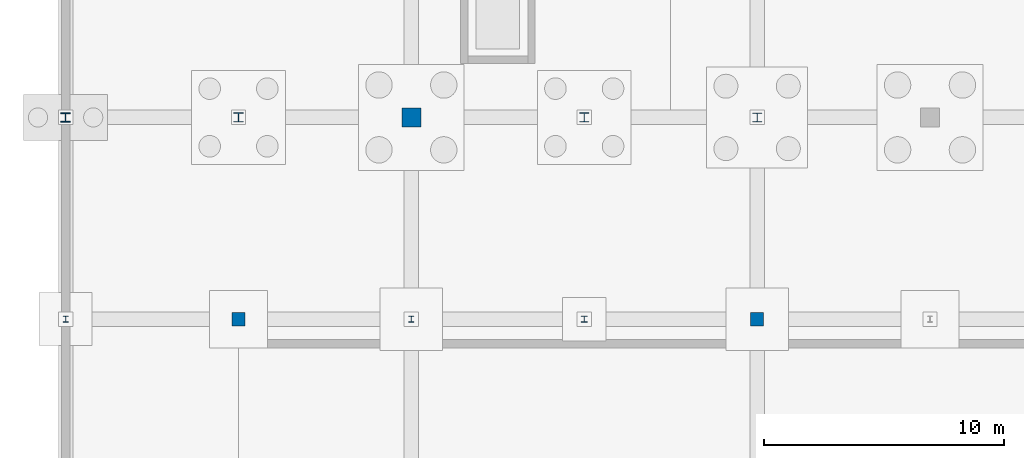
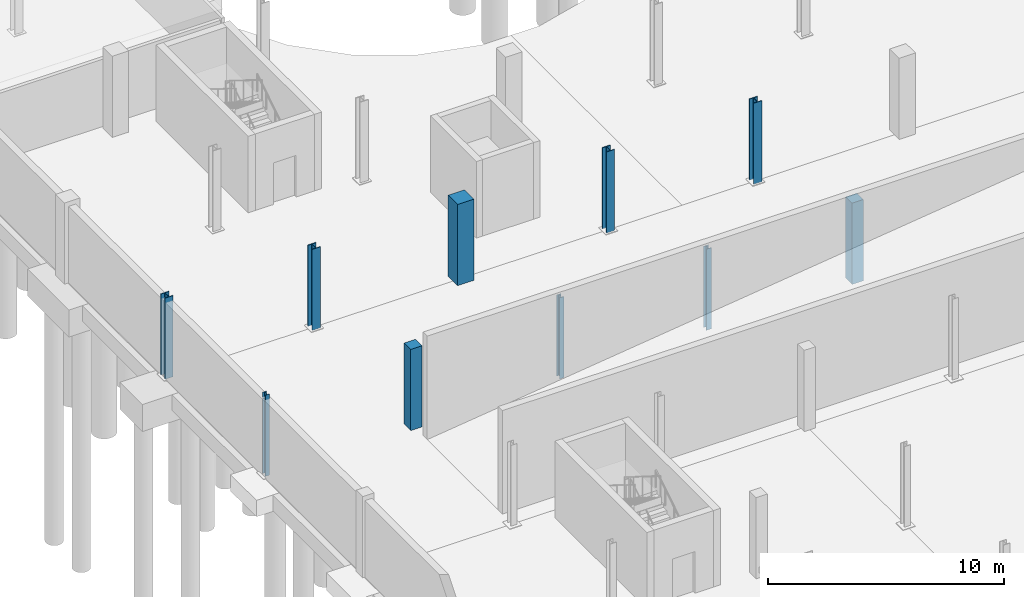
# One storey, part 9 of 32: 10 columns.
"""IFC4 building model written with IfcOpenShell, lengths in metres."""

from ifc_helpers import new_model, si_unit, direction, frame, origin, origin_2d, place, context, subcontext, project, spatial, rectangle, i_section, extrude, material, material_profile, profile_set, type_object, element, save


model = new_model("IFC4")

# Units and contexts
model_context = context("Model", 3, precision=1e-05, world=origin(), true_north=direction((0.0, 1.0)))
body_context = subcontext(model_context, "Body", "Model", "MODEL_VIEW")
ifc_project = project(units=[si_unit("LENGTHUNIT", "METRE"), si_unit("AREAUNIT", "SQUARE_METRE"), si_unit("VOLUMEUNIT", "CUBIC_METRE"), si_unit("PLANEANGLEUNIT", "RADIAN"), si_unit("MASSUNIT", "GRAM", prefix="KILO")], contexts=[model_context])

# Site, building, storey
site_placement = place(None, origin())
site = spatial("IfcSite", under=ifc_project, at=site_placement, CompositionType="ELEMENT")
building_placement = place(site_placement, origin())
building = spatial("IfcBuilding", under=site, at=building_placement, Name="Qelthora Terrace Specialist Clinic", CompositionType="ELEMENT")
storey_placement = place(building_placement, frame((0.0, 0.0, -4.199951171875)))
storey = spatial("IfcBuildingStorey", under=building, at=storey_placement, Name="B1", CompositionType="ELEMENT", Elevation=-4.199951171875)

# Columns
ifc_material_1 = material(Name="Concrete C40/50", Category="concrete")
ifc_material_profile_1 = material_profile(ifc_material_1, rectangle(XDim=0.550048828125, YDim=0.550048828125, at=origin_2d()), Name="RC550X550")
ifc_profile_set_1 = profile_set([ifc_material_profile_1], Name="Concrete C40/50")
column_type_1 = type_object("IfcColumnType", Name="COL-RC550", PredefinedType="COLUMN", material=ifc_profile_set_1)
for number, where, z_axis, x_axis, name in (
    (1, (7.199951171875, 50.39990234375, 0.0), (0.0, 0.0, 1.0), (1.0, 0.0, 0.0), "Column B1-021"),
    (2, (28.800048828125, 50.39990234375, 0.0), (0.0, 0.0, 1.0), (1.0, 0.0, 0.0), "Column B1-060"),
):
    element("IfcColumn", number, at=place(storey_placement, frame(where, z_axis=z_axis, x_axis=x_axis)), inside=storey, type_object=column_type_1, Name=name, PredefinedType="COLUMN", context=body_context, shape_type="SweptSolid", body=[
        extrude(rectangle(XDim=0.550048828125, YDim=0.550048828125, at=origin_2d()), origin(), (0.0, 0.0, 1.0), 4.199951171875),
    ])
ifc_material_profile_2 = material_profile(ifc_material_1, rectangle(XDim=0.800048828125, YDim=0.800048828125, at=origin_2d()), Name="RC800X800")
ifc_profile_set_2 = profile_set([ifc_material_profile_2], Name="Concrete C40/50")
column_type_2 = type_object("IfcColumnType", Name="COL-RC800", PredefinedType="COLUMN", material=ifc_profile_set_2)
column_1_placement = place(storey_placement, frame((14.39990234375, 58.800048828125, 0.0), z_axis=(0.0, 0.0, 1.0), x_axis=(1.0, 0.0, 0.0)))
element("IfcColumn", 3, at=column_1_placement, inside=storey, type_object=column_type_2, Name="Column B1-036", PredefinedType="COLUMN", context=body_context, shape_type="SweptSolid", body=[
    extrude(rectangle(XDim=0.800048828125, YDim=0.800048828125, at=origin_2d()), origin(), (0.0, 0.0, 1.0), 4.199951171875),
])
ifc_material_2 = material(Name="Steel S355", Category="steel")
ifc_material_profile_3 = material_profile(ifc_material_2, i_section(OverallWidth=0.2041015625, OverallDepth=0.257080078125, WebThickness=0.0087890625, FlangeThickness=0.015625, FilletRadius=0.012939453125, at=origin_2d()), Name="W250X67")
ifc_profile_set_3 = profile_set([ifc_material_profile_3], Name="Steel S355")
column_type_3 = type_object("IfcColumnType", Name="COL-W250X67", PredefinedType="COLUMN", material=ifc_profile_set_3)
for number, where, z_axis, x_axis, name in (
    (4, (0.0, 50.39990234375, 0.0), (0.0, 0.0, 1.0), (1.0, 0.0, 0.0), "Column B1-007"),
    (5, (14.39990234375, 50.39990234375, 0.0), (0.0, 0.0, 1.0), (1.0, 0.0, 0.0), "Column B1-035"),
):
    element("IfcColumn", number, at=place(storey_placement, frame(where, z_axis=z_axis, x_axis=x_axis)), inside=storey, type_object=column_type_3, Name=name, PredefinedType="COLUMN", context=body_context, shape_type="SweptSolid", body=[
        extrude(i_section(OverallWidth=0.2041015625, OverallDepth=0.257080078125, WebThickness=0.0087890625, FlangeThickness=0.015625, FilletRadius=0.012939453125, at=origin_2d()), origin(), (0.0, 0.0, 1.0), 4.199951171875),
    ])
ifc_material_profile_4 = material_profile(ifc_material_2, i_section(OverallWidth=0.2548828125, OverallDepth=0.256103515625, WebThickness=0.009521484375, FlangeThickness=0.015625, FilletRadius=0.012939453125, at=origin_2d()), Name="W250X80")
ifc_profile_set_4 = profile_set([ifc_material_profile_4], Name="Steel S355")
column_type_4 = type_object("IfcColumnType", Name="COL-W250X80", PredefinedType="COLUMN", material=ifc_profile_set_4)
column_2_placement = place(storey_placement, frame((21.60009765625, 50.39990234375, 0.0), z_axis=(0.0, 0.0, 1.0), x_axis=(1.0, 0.0, 0.0)))
element("IfcColumn", 6, at=column_2_placement, inside=storey, type_object=column_type_4, Name="Column B1-049", PredefinedType="COLUMN", context=body_context, shape_type="SweptSolid", body=[
    extrude(i_section(OverallWidth=0.2548828125, OverallDepth=0.256103515625, WebThickness=0.009521484375, FlangeThickness=0.015625, FilletRadius=0.012939453125, at=origin_2d()), origin(), (0.0, 0.0, 1.0), 4.199951171875),
])
ifc_material_profile_5 = material_profile(ifc_material_2, i_section(OverallWidth=0.39501953125, OverallDepth=0.3798828125, WebThickness=0.018798828125, FlangeThickness=0.0302734375, FilletRadius=0.02001953125, at=origin_2d()), Name="W360X237")
ifc_profile_set_5 = profile_set([ifc_material_profile_5], Name="Steel S355")
column_type_5 = type_object("IfcColumnType", Name="COL-W360X237", PredefinedType="COLUMN", material=ifc_profile_set_5)
column_3_placement = place(storey_placement, frame((0.0, 58.800048828125, 0.0), z_axis=(0.0, 0.0, 1.0), x_axis=(1.0, 0.0, 0.0)))
element("IfcColumn", 7, at=column_3_placement, inside=storey, type_object=column_type_5, Name="Column B1-008", PredefinedType="COLUMN", context=body_context, shape_type="SweptSolid", body=[
    extrude(i_section(OverallWidth=0.39501953125, OverallDepth=0.3798828125, WebThickness=0.018798828125, FlangeThickness=0.0302734375, FilletRadius=0.02001953125, at=origin_2d()), origin(), (0.0, 0.0, 1.0), 4.199951171875),
])
ifc_material_profile_6 = material_profile(ifc_material_2, i_section(OverallWidth=0.39794921875, OverallDepth=0.386962890625, WebThickness=0.02099609375, FlangeThickness=0.033203125, FilletRadius=0.02001953125, at=origin_2d()), Name="W360X262")
ifc_profile_set_6 = profile_set([ifc_material_profile_6], Name="Steel S355")
column_type_6 = type_object("IfcColumnType", Name="COL-W360X262", PredefinedType="COLUMN", material=ifc_profile_set_6)
column_4_placement = place(storey_placement, frame((28.800048828125, 58.800048828125, 0.0), z_axis=(0.0, 0.0, 1.0), x_axis=(1.0, 0.0, 0.0)))
element("IfcColumn", 8, at=column_4_placement, inside=storey, type_object=column_type_6, Name="Column B1-061", PredefinedType="COLUMN", context=body_context, shape_type="SweptSolid", body=[
    extrude(i_section(OverallWidth=0.39794921875, OverallDepth=0.386962890625, WebThickness=0.02099609375, FlangeThickness=0.033203125, FilletRadius=0.02001953125, at=origin_2d()), origin(), (0.0, 0.0, 1.0), 4.199951171875),
])
ifc_material_profile_7 = material_profile(ifc_material_2, i_section(OverallWidth=0.39892578125, OverallDepth=0.39306640625, WebThickness=0.022705078125, FlangeThickness=0.035888671875, FilletRadius=0.02001953125, at=origin_2d()), Name="W360X287")
ifc_profile_set_7 = profile_set([ifc_material_profile_7], Name="Steel S355")
column_type_7 = type_object("IfcColumnType", Name="COL-W360X287", PredefinedType="COLUMN", material=ifc_profile_set_7)
for number, where, z_axis, x_axis, name in (
    (9, (7.199951171875, 58.800048828125, 0.0), (0.0, 0.0, 1.0), (1.0, 0.0, 0.0), "Column B1-022"),
    (10, (21.60009765625, 58.800048828125, 0.0), (0.0, 0.0, 1.0), (1.0, 0.0, 0.0), "Column B1-050"),
):
    element("IfcColumn", number, at=place(storey_placement, frame(where, z_axis=z_axis, x_axis=x_axis)), inside=storey, type_object=column_type_7, Name=name, PredefinedType="COLUMN", context=body_context, shape_type="SweptSolid", body=[
        extrude(i_section(OverallWidth=0.39892578125, OverallDepth=0.39306640625, WebThickness=0.022705078125, FlangeThickness=0.035888671875, FilletRadius=0.02001953125, at=origin_2d()), origin(), (0.0, 0.0, 1.0), 4.199951171875),
    ])

save(model, "model.ifc")
